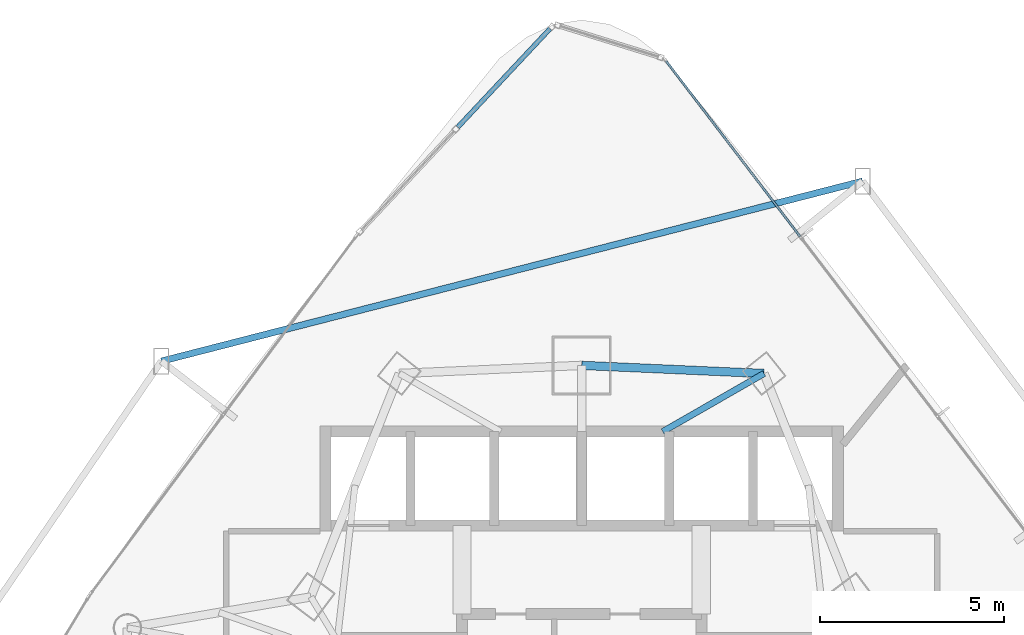
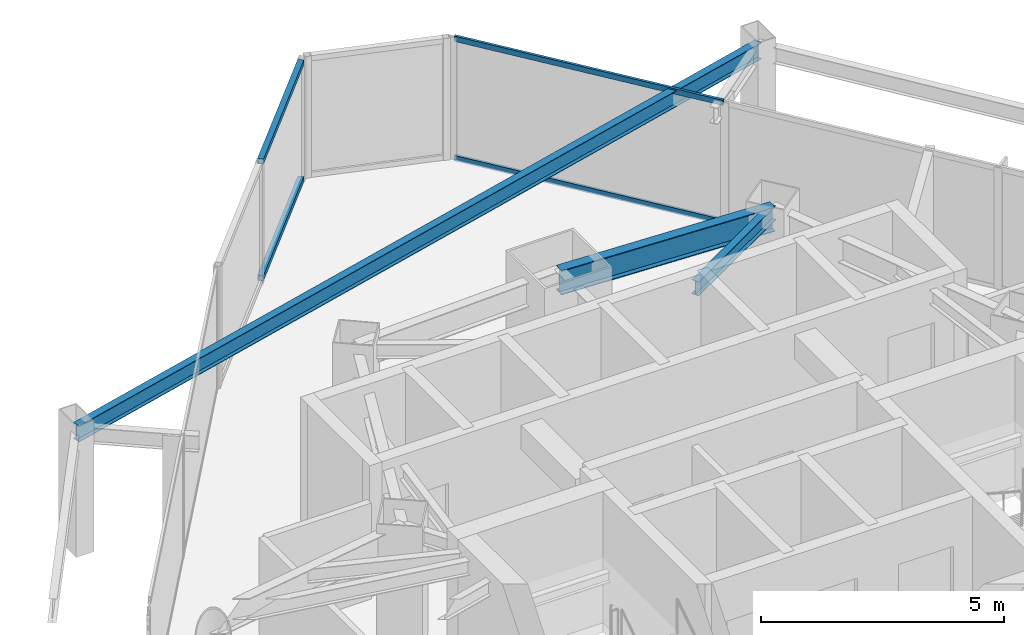
# One storey, part 23 of 33: 4 members, 3 beams, 2 elements without a shape of their own.
"""IFC4 building model written with IfcOpenShell, lengths in metres."""

from ifc_helpers import new_model, si_unit, direction, frame, origin, origin_2d, place, context, subcontext, project, spatial, hollow_rectangle, i_section, extrude, material, layer, layer_set, material_profile, profile_set, type_object, element, aggregate, save


model = new_model("IFC4")

# Units and contexts
model_context = context("Model", 3, precision=1e-05, world=origin(), true_north=direction((0.0, 1.0)))
body_context = subcontext(model_context, "Body", "Model", "MODEL_VIEW")
ifc_project = project(units=[si_unit("LENGTHUNIT", "METRE"), si_unit("AREAUNIT", "SQUARE_METRE"), si_unit("VOLUMEUNIT", "CUBIC_METRE"), si_unit("PLANEANGLEUNIT", "RADIAN"), si_unit("MASSUNIT", "GRAM", prefix="KILO")], contexts=[model_context])

# Site, building, storey
site_placement = place(None, origin())
site = spatial("IfcSite", under=ifc_project, at=site_placement, CompositionType="ELEMENT")
building_placement = place(site_placement, origin())
building = spatial("IfcBuilding", under=site, at=building_placement, Name="Orvanel Arch Residences", CompositionType="ELEMENT")
storey_placement = place(building_placement, frame((0.0, 0.0, 84.050048828125)))
storey = spatial("IfcBuildingStorey", under=building, at=storey_placement, Name="L23", CompositionType="ELEMENT", Elevation=84.050048828125)

# Beams
ifc_material_1 = material(Name="Structural steel AS/NZS 3679.1 Grade 300 (300 MPa)", Category="steel")
ifc_material_profile_1 = material_profile(ifc_material_1, i_section(OverallWidth=0.1708984375, OverallDepth=0.35595703125, WebThickness=0.00732421875, FlangeThickness=0.011474609375, at=origin_2d()), Name="360UB50.7")
ifc_profile_set_1 = profile_set([ifc_material_profile_1], Name="Structural steel AS/NZS 3679.1 Grade 300 (300 MPa)")
beam_type_1 = type_object("IfcBeamType", Name="BJ-360UB", PredefinedType="JOIST", material=ifc_profile_set_1)
beam_1_placement = place(storey_placement, frame((35.199951171875, 39.60009765625, 2.8818359375), z_axis=(0.86736513383, 0.497672306458, 0.0), x_axis=(-0.497672306458, 0.86736513383, 0.0)))
element("IfcBeam", 1, at=beam_1_placement, inside=storey, type_object=beam_type_1, Name="L23 MNE Wing Floor Joist", PredefinedType="JOIST", context=body_context, shape_type="SweptSolid", body=[
    extrude(i_section(OverallWidth=0.1708984375, OverallDepth=0.35595703125, WebThickness=0.00732421875, FlangeThickness=0.011474609375, at=origin_2d()), origin(), (0.0, 0.0, 1.0), 3.17041015625),
])
ifc_material_profile_2 = material_profile(ifc_material_1, i_section(OverallWidth=0.177978515625, OverallDepth=0.406005859375, WebThickness=0.0078125, FlangeThickness=0.0126953125, at=origin_2d()), Name="410UB59.7")
ifc_profile_set_2 = profile_set([ifc_material_profile_2], Name="Structural steel AS/NZS 3679.1 Grade 300 (300 MPa)")
beam_type_2 = type_object("IfcBeamType", Name="OB-410UB-EXT", PredefinedType="SPANDREL", material=ifc_profile_set_2)
beam_2_placement = place(storey_placement, frame((40.625, 46.39697265625, 2.85693359375), z_axis=(-0.968608581925, -0.248590858686, 0.0), x_axis=(0.248590858686, -0.968608581925, 0.0)))
element("IfcBeam", 2, at=beam_2_placement, inside=storey, type_object=beam_type_2, Name="L23 Outer Perimeter Floor Ring Beam 12", PredefinedType="SPANDREL", context=body_context, shape_type="SweptSolid", body=[
    extrude(i_section(OverallWidth=0.177978515625, OverallDepth=0.406005859375, WebThickness=0.0078125, FlangeThickness=0.0126953125, at=origin_2d()), origin(), (0.0, 0.0, 1.0), 19.65087890625),
])
ifc_material_profile_3 = material_profile(ifc_material_1, i_section(OverallWidth=0.22900390625, OverallDepth=0.612060546875, WebThickness=0.011962890625, FlangeThickness=0.01953125, at=origin_2d()), Name="610UB125")
ifc_profile_set_3 = profile_set([ifc_material_profile_3], Name="Structural steel AS/NZS 3679.1 Grade 300 (300 MPa)")
beam_type_3 = type_object("IfcBeamType", Name="SP-610UB", PredefinedType="SPANDREL", material=ifc_profile_set_3)
beam_3_placement = place(storey_placement, frame((37.949951171875, 41.177978515625, 2.75390625), z_axis=(-0.999014049296, 0.044395149614, 0.0), x_axis=(-0.044395149614, -0.999014049296, 0.0)))
element("IfcBeam", 3, at=beam_3_placement, inside=storey, type_object=beam_type_3, Name="L23 Perimeter Spandrel Beam 16", PredefinedType="SPANDREL", context=body_context, shape_type="SweptSolid", body=[
    extrude(i_section(OverallWidth=0.22900390625, OverallDepth=0.612060546875, WebThickness=0.011962890625, FlangeThickness=0.01953125, at=origin_2d()), origin(), (0.0, 0.0, 1.0), 4.954833984375),
])

# Curtain wall, members
ifc_material_2 = material(Name="Bronze-anodised aluminium AA6063-T6", Category="aluminium")
ifc_layer_1 = layer(ifc_material_2, 0.18994140625)
ifc_layer_set_1 = layer_set([ifc_layer_1], Name="Bronze-anodised aluminium AA6063-T6")
curtain_wall_type_1 = type_object("IfcCurtainWallType", Name="CW5-CRN-SYS", PredefinedType="NOTDEFINED", material=ifc_layer_set_1)
curtain_wall_1_placement = place(storey_placement, origin())
curtain_wall_1 = element("IfcCurtainWall", 4, at=curtain_wall_1_placement, inside=storey, type_object=curtain_wall_type_1, Name="L23 CW5-CRN-SYS Unitised Curtain Wall", PredefinedType="NOTDEFINED")
ifc_material_profile_4 = material_profile(ifc_material_2, hollow_rectangle(XDim=0.1298828125, YDim=0.1298828125, WallThickness=0.00439453125, at=origin_2d()), Name="ALU130x130x4.5")
ifc_profile_set_4 = profile_set([ifc_material_profile_4], Name="Bronze-anodised aluminium AA6063-T6")
member_type_1 = type_object("IfcMemberType", Name="TRN-130x130", PredefinedType="USERDEFINED", material=ifc_profile_set_4)
member_1_placement = place(storey_placement, frame((32.138427734375, 50.533447265625, 0.06494140625), z_axis=(-0.68393003652, -0.729547603071, 0.0), x_axis=(0.729547603071, -0.68393003652, 0.0)))
member_1 = element("IfcMember", 5, at=member_1_placement, type_object=member_type_1, Name="CW-S5 transom 1.1", ObjectType="TRANSOM", PredefinedType="USERDEFINED", context=body_context, shape_type="SweptSolid", body=[
    extrude(hollow_rectangle(XDim=0.1298828125, YDim=0.1298828125, WallThickness=0.00439453125, at=origin_2d()), origin(), (0.0, 0.0, 1.0), 3.66064453125),
])
member_2_placement = place(storey_placement, frame((32.138427734375, 50.533447265625, 2.994873046875), z_axis=(-0.68393003652, -0.729547603071, 0.0), x_axis=(0.729547603071, -0.68393003652, 0.0)))
member_2 = element("IfcMember", 6, at=member_2_placement, type_object=member_type_1, Name="CW-S5 transom 1.2", ObjectType="TRANSOM", PredefinedType="USERDEFINED", context=body_context, shape_type="SweptSolid", body=[
    extrude(hollow_rectangle(XDim=0.1298828125, YDim=0.1298828125, WallThickness=0.00439453125, at=origin_2d()), origin(), (0.0, 0.0, 1.0), 3.66064453125),
])
aggregate(curtain_wall_1, [member_1, member_2])

ifc_layer_2 = layer(ifc_material_2, 0.179931640625)
ifc_layer_set_2 = layer_set([ifc_layer_2], Name="Bronze-anodised aluminium AA6063-T6")
curtain_wall_type_2 = type_object("IfcCurtainWallType", Name="CW2-LOW-SYS", PredefinedType="NOTDEFINED", material=ifc_layer_set_2)
curtain_wall_2_placement = place(storey_placement, origin())
curtain_wall_2 = element("IfcCurtainWall", 7, at=curtain_wall_2_placement, inside=storey, type_object=curtain_wall_type_2, Name="L23 CW2-LOW-SYS Unitised Curtain Wall", PredefinedType="NOTDEFINED")
ifc_material_profile_5 = material_profile(ifc_material_2, hollow_rectangle(XDim=0.06005859375, YDim=0.135009765625, WallThickness=0.00390625, at=origin_2d()), Name="ALU135x60x4")
ifc_profile_set_5 = profile_set([ifc_material_profile_5], Name="Bronze-anodised aluminium AA6063-T6")
member_type_2 = type_object("IfcMemberType", Name="TRN-135x60", PredefinedType="USERDEFINED", material=ifc_profile_set_5)
member_3_placement = place(storey_placement, frame((38.9287109375, 44.894775390625, 0.030029296875), z_axis=(-0.607090348899, 0.794632813489, 0.0), x_axis=(-0.794632813489, -0.607090348899, 0.0)))
member_3 = element("IfcMember", 8, at=member_3_placement, type_object=member_type_2, Name="CW-S2 transom 3.1", ObjectType="TRANSOM", PredefinedType="USERDEFINED", context=body_context, shape_type="SweptSolid", body=[
    extrude(hollow_rectangle(XDim=0.06005859375, YDim=0.135009765625, WallThickness=0.00390625, at=origin_2d()), origin(), (0.0, 0.0, 1.0), 5.99609375),
])
member_4_placement = place(storey_placement, frame((38.9287109375, 44.894775390625, 3.030029296875), z_axis=(-0.607090348899, 0.794632813489, 0.0), x_axis=(-0.794632813489, -0.607090348899, 0.0)))
member_4 = element("IfcMember", 9, at=member_4_placement, type_object=member_type_2, Name="CW-S2 transom 3.2", ObjectType="TRANSOM", PredefinedType="USERDEFINED", context=body_context, shape_type="SweptSolid", body=[
    extrude(hollow_rectangle(XDim=0.06005859375, YDim=0.135009765625, WallThickness=0.00390625, at=origin_2d()), origin(), (0.0, 0.0, 1.0), 5.99609375),
])
aggregate(curtain_wall_2, [member_3, member_4])

save(model, "model.ifc")
